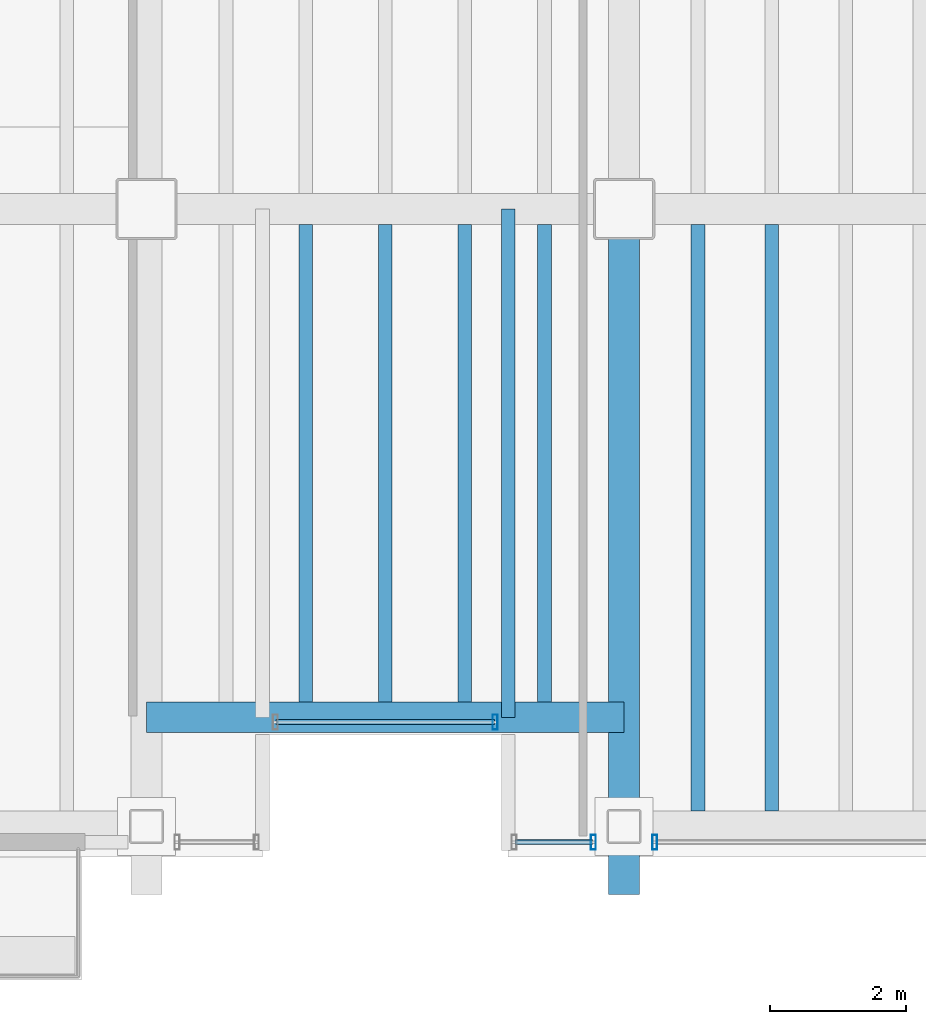
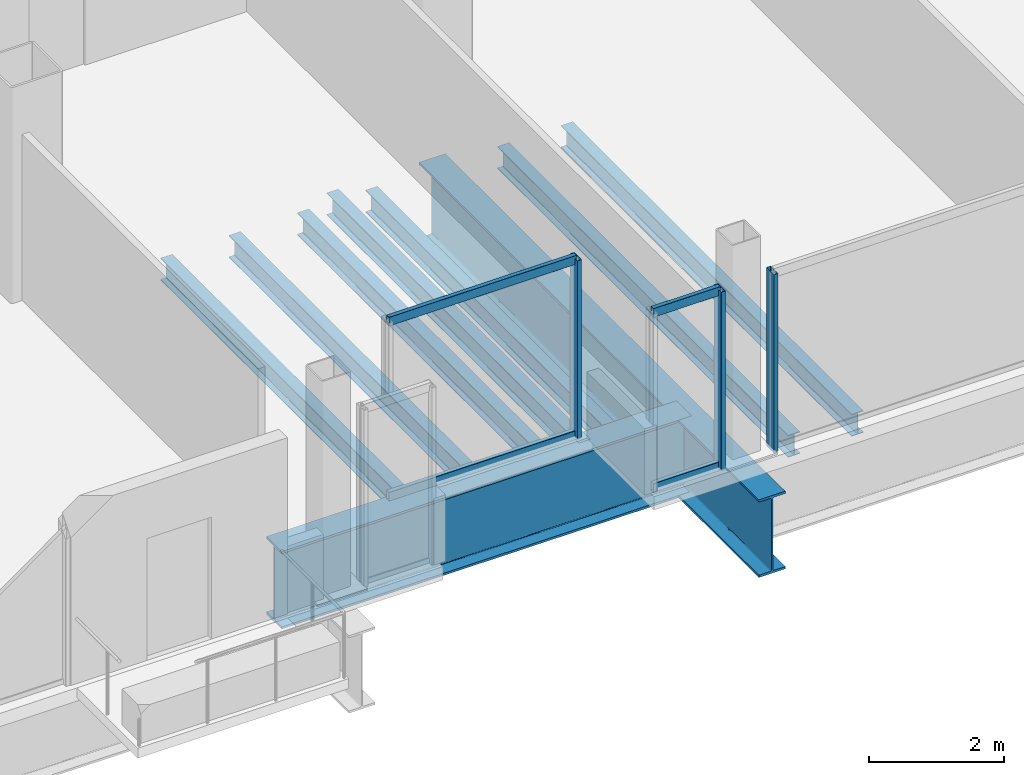
# One storey, part 6 of 24: 9 beams, 7 members, 3 elements without a shape of their own.
"""IFC4 building model written with IfcOpenShell, lengths in metres."""

from ifc_helpers import new_model, si_unit, direction, frame, origin, origin_2d, place, context, subcontext, project, spatial, hollow_rectangle, i_section, extrude, material, material_profile, profile_set, type_object, element, aggregate, save


model = new_model("IFC4")

# Units and contexts
model_context = context("Model", 3, precision=1e-05, world=origin(), true_north=direction((0.0, 1.0)))
body_context = subcontext(model_context, "Body", "Model", "MODEL_VIEW")
ifc_project = project(units=[si_unit("LENGTHUNIT", "METRE"), si_unit("AREAUNIT", "SQUARE_METRE"), si_unit("VOLUMEUNIT", "CUBIC_METRE"), si_unit("PLANEANGLEUNIT", "RADIAN"), si_unit("MASSUNIT", "GRAM", prefix="KILO")], contexts=[model_context])

# Site, building, storey
site_placement = place(None, origin())
site = spatial("IfcSite", under=ifc_project, at=site_placement, CompositionType="ELEMENT")
building_placement = place(site_placement, origin())
building = spatial("IfcBuilding", under=site, at=building_placement, Name="Noeulbin Bourse Tower", CompositionType="ELEMENT")
storey_placement = place(building_placement, frame((0.0, 0.0, 114.89990234375)))
storey = spatial("IfcBuildingStorey", under=building, at=storey_placement, Name="L28", CompositionType="ELEMENT", Elevation=114.89990234375)

# Beams
ifc_material_1 = material(Name="Steel S355", Category="steel")
ifc_material_profile_1 = material_profile(ifc_material_1, i_section(OverallWidth=0.199951171875, OverallDepth=0.39990234375, WebThickness=0.008056640625, FlangeThickness=0.012939453125, FilletRadius=0.01611328125, at=origin_2d()), Name="H-400x200x8x13", Category="LoadBearing")
ifc_profile_set_1 = profile_set([ifc_material_profile_1], Name="Steel S355")
beam_type_1 = type_object("IfcBeamType", Name="BM-SEC-400", PredefinedType="BEAM", material=ifc_profile_set_1)
beam_1_placement = place(storey_placement, frame((29.300048828125, 12.550048828125, -0.43994140625), z_axis=(0.0, 1.0, 0.0), x_axis=(-1.0, 0.0, 0.0)))
element("IfcBeam", 1, at=beam_1_placement, inside=storey, type_object=beam_type_1, Name="BM-L28-SRT-E", PredefinedType="BEAM", context=body_context, shape_type="SweptSolid", body=[
    extrude(i_section(OverallWidth=0.199951171875, OverallDepth=0.39990234375, WebThickness=0.008056640625, FlangeThickness=0.012939453125, FilletRadius=0.01611328125, at=origin_2d()), origin(), (0.0, 0.0, 1.0), 7.449951171875),
])
for number, where, z_axis, x_axis, name in (
    (2, (26.333251953125, 12.77490234375, -0.43994140625), (0.0, 1.0, 0.0), (-1.0, 0.0, 0.0), "Tower Composite Joist L28-19"),
    (3, (27.5, 12.77490234375, -0.43994140625), (0.0, 1.0, 0.0), (-1.0, 0.0, 0.0), "Tower Composite Joist L28-21"),
    (4, (28.666748046875, 12.77490234375, -0.43994140625), (0.0, 1.0, 0.0), (-1.0, 0.0, 0.0), "Tower Composite Joist L28-23"),
    (5, (29.833251953125, 12.77490234375, -0.43994140625), (0.0, 1.0, 0.0), (-1.0, 0.0, 0.0), "Tower Composite Joist L28-25"),
):
    element("IfcBeam", number, at=place(storey_placement, frame(where, z_axis=z_axis, x_axis=x_axis)), inside=storey, type_object=beam_type_1, Name=name, PredefinedType="BEAM", context=body_context, shape_type="SweptSolid", body=[
        extrude(i_section(OverallWidth=0.199951171875, OverallDepth=0.39990234375, WebThickness=0.008056640625, FlangeThickness=0.012939453125, FilletRadius=0.01611328125, at=origin_2d()), origin(), (0.0, 0.0, 1.0), 7.0),
    ])
for number, where, z_axis, x_axis, name in (
    (6, (32.083251953125, 11.175048828125, -0.43994140625), (0.0, 1.0, 0.0), (-1.0, 0.0, 0.0), "Tower Composite Joist L28-27"),
    (7, (33.166748046875, 11.175048828125, -0.43994140625), (0.0, 1.0, 0.0), (-1.0, 0.0, 0.0), "Tower Composite Joist L28-29"),
):
    element("IfcBeam", number, at=place(storey_placement, frame(where, z_axis=z_axis, x_axis=x_axis)), inside=storey, type_object=beam_type_1, Name=name, PredefinedType="BEAM", context=body_context, shape_type="SweptSolid", body=[
        extrude(i_section(OverallWidth=0.199951171875, OverallDepth=0.39990234375, WebThickness=0.008056640625, FlangeThickness=0.012939453125, FilletRadius=0.01611328125, at=origin_2d()), origin(), (0.0, 0.0, 1.0), 8.599853515625),
    ])
ifc_material_2 = material(Name="Steel S460", Category="steel")
ifc_material_profile_2 = material_profile(ifc_material_2, i_section(OverallWidth=0.449951171875, OverallDepth=1.39990234375, WebThickness=0.02392578125, FlangeThickness=0.0400390625, FilletRadius=0.02392578125, at=origin_2d()), Name="PG-1400x450x24x40", Category="LoadBearing")
ifc_profile_set_2 = profile_set([ifc_material_profile_2], Name="Steel S460")
beam_type_2 = type_object("IfcBeamType", Name="BM-TRF-1400", PredefinedType="USERDEFINED", material=ifc_profile_set_2)
beam_2_placement = place(storey_placement, frame((31.0, 9.949951171875, -0.93994140625), z_axis=(0.0, 1.0, 0.0), x_axis=(-1.0, 0.0, 0.0)))
element("IfcBeam", 8, at=beam_2_placement, inside=storey, type_object=beam_type_2, Name="Tower Primary Girder NS L28-3.1", ObjectType="GIRDER", PredefinedType="USERDEFINED", context=body_context, shape_type="SweptSolid", body=[
    extrude(i_section(OverallWidth=0.449951171875, OverallDepth=1.39990234375, WebThickness=0.02392578125, FlangeThickness=0.0400390625, FilletRadius=0.02392578125, at=origin_2d()), origin(), (0.0, 0.0, 1.0), 10.050048828125),
])
beam_3_placement = place(storey_placement, frame((24.0, 12.550048828125, -0.93994140625), z_axis=(1.0, 0.0, 0.0), x_axis=(0.0, 1.0, 0.0)))
element("IfcBeam", 9, at=beam_3_placement, inside=storey, type_object=beam_type_2, Name="South Recess Spandrel L28-2B", ObjectType="GIRDER", PredefinedType="USERDEFINED", context=body_context, shape_type="SweptSolid", body=[
    extrude(i_section(OverallWidth=0.449951171875, OverallDepth=1.39990234375, WebThickness=0.02392578125, FlangeThickness=0.0400390625, FilletRadius=0.02392578125, at=origin_2d()), origin(), (0.0, 0.0, 1.0), 7.0),
])

# Curtain wall, member
ifc_material_3 = material(Name="Dark Tinted Triple Glazing", Category="glass")
curtain_wall_type = type_object("IfcCurtainWallType", Name="CW-SYS-3", PredefinedType="NOTDEFINED", material=ifc_material_3)
curtain_wall_1_placement = place(storey_placement, origin())
curtain_wall_1 = element("IfcCurtainWall", 10, at=curtain_wall_1_placement, inside=storey, type_object=curtain_wall_type, Name="Unitised Curtain Wall CW-L28-SREC", PredefinedType="NOTDEFINED")
ifc_material_4 = material(Name="Anodised Aluminium 6063-T6", Category="aluminium")
ifc_material_profile_3 = material_profile(ifc_material_4, hollow_rectangle(XDim=0.074951171875, YDim=0.219970703125, WallThickness=0.0048828125, InnerFilletRadius=0.00244140625, OuterFilletRadius=0.0048828125, at=origin_2d()), Name="ALU-MULL-75x220x5", Category="LoadBearing")
ifc_profile_set_3 = profile_set([ifc_material_profile_3], Name="Anodised Aluminium 6063-T6")
member_type_1 = type_object("IfcMemberType", Name="CW-SYS-3-MUL", PredefinedType="MULLION", material=ifc_profile_set_3)
member_1_placement = place(storey_placement, frame((29.110107421875, 12.47998046875, -0.02001953125), z_axis=(0.0, 0.0, 1.0), x_axis=(1.0, 0.0, 0.0)))
member_1 = element("IfcMember", 11, at=member_1_placement, type_object=member_type_1, Name="Curtain Wall Mullion CW-L28-SREC-M01", PredefinedType="MULLION", context=body_context, shape_type="SweptSolid", body=[
    extrude(hollow_rectangle(XDim=0.074951171875, YDim=0.219970703125, WallThickness=0.0048828125, InnerFilletRadius=0.00244140625, OuterFilletRadius=0.0048828125, at=origin_2d()), origin(), (0.0, 0.0, 1.0), 3.22021484375),
])

curtain_wall_2_placement = place(storey_placement, origin())
curtain_wall_2 = element("IfcCurtainWall", 12, at=curtain_wall_2_placement, inside=storey, type_object=curtain_wall_type, Name="Unitised Curtain Wall CW-L28-S3-S1", PredefinedType="NOTDEFINED")
member_2_placement = place(storey_placement, frame((30.550048828125, 10.719970703125, -0.02001953125), z_axis=(0.0, 0.0, 1.0), x_axis=(1.0, 0.0, 0.0)))
member_2 = element("IfcMember", 13, at=member_2_placement, type_object=member_type_1, Name="Curtain Wall Mullion CW-L28-S3-S1-M01", PredefinedType="MULLION", context=body_context, shape_type="SweptSolid", body=[
    extrude(hollow_rectangle(XDim=0.074951171875, YDim=0.219970703125, WallThickness=0.0048828125, InnerFilletRadius=0.00244140625, OuterFilletRadius=0.0048828125, at=origin_2d()), origin(), (0.0, 0.0, 1.0), 3.22021484375),
])

curtain_wall_3_placement = place(storey_placement, origin())
curtain_wall_3 = element("IfcCurtainWall", 14, at=curtain_wall_3_placement, inside=storey, type_object=curtain_wall_type, Name="Unitised Curtain Wall CW-L28-S3-S2", PredefinedType="NOTDEFINED")
member_3_placement = place(storey_placement, frame((31.449951171875, 10.719970703125, -0.02001953125), z_axis=(0.0, 0.0, 1.0), x_axis=(1.0, 0.0, 0.0)))
member_3 = element("IfcMember", 15, at=member_3_placement, type_object=member_type_1, Name="Curtain Wall Mullion CW-L28-S3-S2-M00", PredefinedType="MULLION", context=body_context, shape_type="SweptSolid", body=[
    extrude(hollow_rectangle(XDim=0.074951171875, YDim=0.219970703125, WallThickness=0.0048828125, InnerFilletRadius=0.00244140625, OuterFilletRadius=0.0048828125, at=origin_2d()), origin(), (0.0, 0.0, 1.0), 3.22021484375),
])
aggregate(curtain_wall_3, [member_3])

# Member
ifc_material_profile_4 = material_profile(ifc_material_4, hollow_rectangle(XDim=0.074951171875, YDim=0.159912109375, WallThickness=0.0048828125, InnerFilletRadius=0.00244140625, OuterFilletRadius=0.0048828125, at=origin_2d()), Name="ALU-TRAN-75x160x5", Category="LoadBearing")
ifc_profile_set_4 = profile_set([ifc_material_profile_4], Name="Anodised Aluminium 6063-T6")
member_type_2 = type_object("IfcMemberType", Name="CW-SYS-3-TRN", PredefinedType="USERDEFINED", material=ifc_profile_set_4)
member_4_placement = place(storey_placement, frame((25.89990234375, 12.47998046875, 0.010009765625), z_axis=(1.0, 0.0, 0.0), x_axis=(0.0, 1.0, 0.0)))
member_4 = element("IfcMember", 16, at=member_4_placement, type_object=member_type_2, Name="Curtain Wall Transom CW-L28-SREC-T00", ObjectType="TRANSOM", PredefinedType="USERDEFINED", context=body_context, shape_type="SweptSolid", body=[
    extrude(hollow_rectangle(XDim=0.074951171875, YDim=0.159912109375, WallThickness=0.0048828125, InnerFilletRadius=0.00244140625, OuterFilletRadius=0.0048828125, at=origin_2d()), origin(), (0.0, 0.0, 1.0), 3.2001953125),
])

member_5_placement = place(storey_placement, frame((25.89990234375, 12.47998046875, 3.170166015625), z_axis=(1.0, 0.0, 0.0), x_axis=(0.0, 1.0, 0.0)))
member_5 = element("IfcMember", 17, at=member_5_placement, type_object=member_type_2, Name="Curtain Wall Transom CW-L28-SREC-T01", ObjectType="TRANSOM", PredefinedType="USERDEFINED", context=body_context, shape_type="SweptSolid", body=[
    extrude(hollow_rectangle(XDim=0.074951171875, YDim=0.159912109375, WallThickness=0.0048828125, InnerFilletRadius=0.00244140625, OuterFilletRadius=0.0048828125, at=origin_2d()), origin(), (0.0, 0.0, 1.0), 3.2001953125),
])

aggregate(curtain_wall_1, [member_1, member_4, member_5])

member_6_placement = place(storey_placement, frame((29.39990234375, 10.719970703125, 0.010009765625), z_axis=(1.0, 0.0, 0.0), x_axis=(0.0, 1.0, 0.0)))
member_6 = element("IfcMember", 18, at=member_6_placement, type_object=member_type_2, Name="Curtain Wall Transom CW-L28-S3-S1-T00", ObjectType="TRANSOM", PredefinedType="USERDEFINED", context=body_context, shape_type="SweptSolid", body=[
    extrude(hollow_rectangle(XDim=0.074951171875, YDim=0.159912109375, WallThickness=0.0048828125, InnerFilletRadius=0.00244140625, OuterFilletRadius=0.0048828125, at=origin_2d()), origin(), (0.0, 0.0, 1.0), 1.14013671875),
])

member_7_placement = place(storey_placement, frame((29.39990234375, 10.719970703125, 3.170166015625), z_axis=(1.0, 0.0, 0.0), x_axis=(0.0, 1.0, 0.0)))
member_7 = element("IfcMember", 19, at=member_7_placement, type_object=member_type_2, Name="Curtain Wall Transom CW-L28-S3-S1-T01", ObjectType="TRANSOM", PredefinedType="USERDEFINED", context=body_context, shape_type="SweptSolid", body=[
    extrude(hollow_rectangle(XDim=0.074951171875, YDim=0.159912109375, WallThickness=0.0048828125, InnerFilletRadius=0.00244140625, OuterFilletRadius=0.0048828125, at=origin_2d()), origin(), (0.0, 0.0, 1.0), 1.14013671875),
])

aggregate(curtain_wall_2, [member_2, member_6, member_7])

save(model, "model.ifc")
